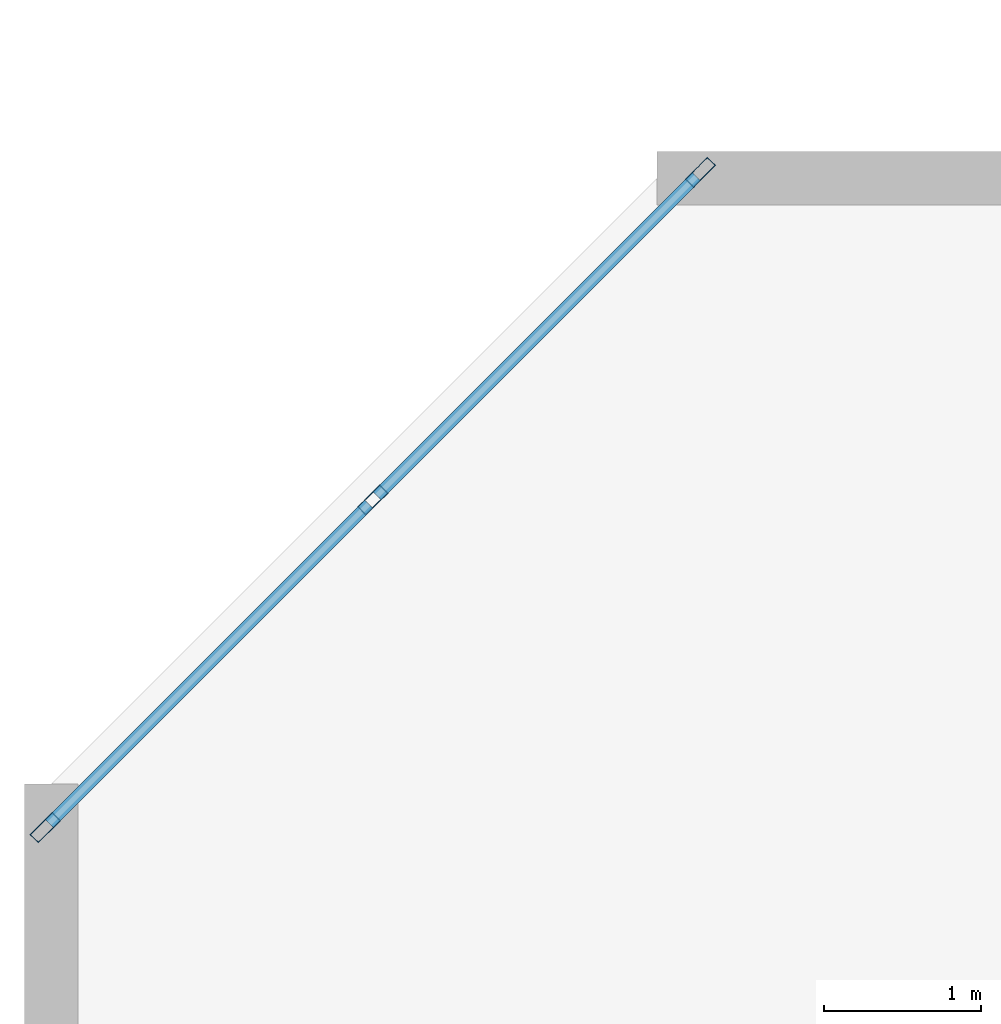
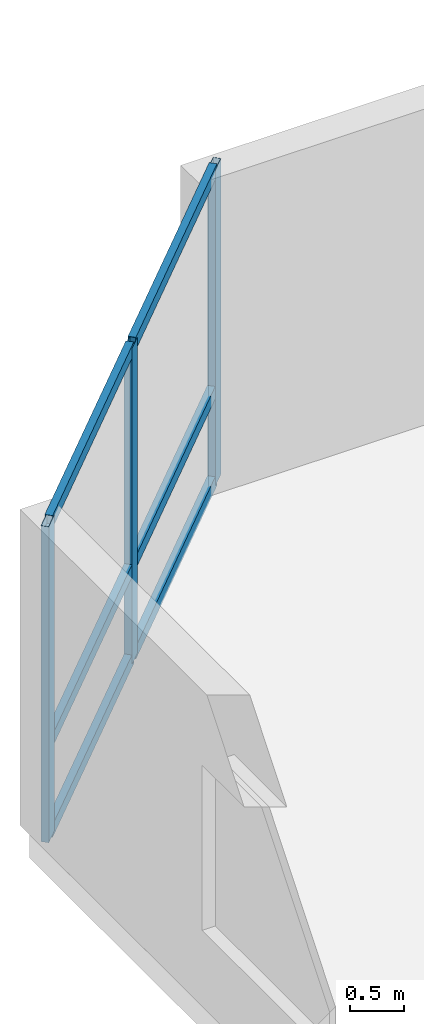
# One storey, part 3 of 11: 9 members, 1 element without a shape of its own.
"""IFC4 building model written with IfcOpenShell, lengths in metres."""

from ifc_helpers import new_model, si_unit, direction, frame, origin, origin_2d, place, context, subcontext, project, spatial, hollow_rectangle, extrude, material, layer, layer_set, material_profile, profile_set, type_object, element, aggregate, save


model = new_model("IFC4")

# Units and contexts
model_context = context("Model", 3, precision=1e-05, world=origin(), true_north=direction((0.0, 1.0)))
body_context = subcontext(model_context, "Body", "Model", "MODEL_VIEW")
ifc_project = project(units=[si_unit("LENGTHUNIT", "METRE"), si_unit("AREAUNIT", "SQUARE_METRE"), si_unit("VOLUMEUNIT", "CUBIC_METRE"), si_unit("PLANEANGLEUNIT", "RADIAN"), si_unit("MASSUNIT", "GRAM", prefix="KILO")], contexts=[model_context])

# Site, building, storey
site_placement = place(None, origin())
site = spatial("IfcSite", under=ifc_project, at=site_placement, CompositionType="ELEMENT")
building_placement = place(site_placement, origin())
building = spatial("IfcBuilding", under=site, at=building_placement, Name="Kestravale Grand Hotel", CompositionType="ELEMENT")
storey_placement = place(building_placement, frame((0.0, 0.0, 37.39990234375)))
storey = spatial("IfcBuildingStorey", under=building, at=storey_placement, Name="L08", CompositionType="ELEMENT", Elevation=37.39990234375)

# Curtain wall, members
ifc_material_1 = material(Name="Thermally broken champagne-bronze aluminium and low-E glazing", Category="aluminium")
ifc_layer = layer(ifc_material_1, 0.199951171875)
ifc_layer_set = layer_set([ifc_layer], Name="CW-Z1")
curtain_wall_type = type_object("IfcCurtainWallType", Name="CW-Z1", PredefinedType="NOTDEFINED", material=ifc_layer_set)
curtain_wall_placement = place(storey_placement, origin())
curtain_wall = element("IfcCurtainWall", 1, at=curtain_wall_placement, inside=storey, type_object=curtain_wall_type, Name="L08 unitised curtain wall 18", PredefinedType="NOTDEFINED")
ifc_material_2 = material(Name="Aluminium 6063-T6 anodised", Category="aluminium")
ifc_material_profile_1 = material_profile(ifc_material_2, hollow_rectangle(XDim=0.074951171875, YDim=0.199951171875, WallThickness=0.00390625, at=origin_2d()))
ifc_profile_set_1 = profile_set([ifc_material_profile_1], Name="Aluminium 6063-T6 anodised")
member_type_1 = type_object("IfcMemberType", Name="CW-MUL-200", PredefinedType="MULLION", material=ifc_profile_set_1)
member_1_placement = place(storey_placement, frame((6.707763671875, 46.0673828125, 0.0), z_axis=(0.0, 0.0, 1.0), x_axis=(0.707106781187, -0.707106781187, 0.0)))
member_1 = element("IfcMember", 2, at=member_1_placement, type_object=member_type_1, Name="CW-Z1 mullion 1", PredefinedType="MULLION", context=body_context, shape_type="SweptSolid", body=[
    extrude(hollow_rectangle(XDim=0.074951171875, YDim=0.199951171875, WallThickness=0.00390625, at=origin_2d()), origin(), (0.0, 0.0, 1.0), 3.5400390625),
])
member_2_placement = place(storey_placement, frame((4.6201171875, 43.979736328125, 0.0), z_axis=(0.0, 0.0, 1.0), x_axis=(0.707106781187, -0.707106781187, 0.0)))
member_2 = element("IfcMember", 3, at=member_2_placement, type_object=member_type_1, Name="CW-Z1 mullion 2", PredefinedType="MULLION", context=body_context, shape_type="SweptSolid", body=[
    extrude(hollow_rectangle(XDim=0.074951171875, YDim=0.199951171875, WallThickness=0.00390625, at=origin_2d()), origin(), (0.0, 0.0, 1.0), 3.5400390625),
])
member_3_placement = place(storey_placement, frame((2.532470703125, 41.89208984375, 0.0), z_axis=(0.0, 0.0, 1.0), x_axis=(0.707106781187, -0.707106781187, 0.0)))
member_3 = element("IfcMember", 4, at=member_3_placement, type_object=member_type_1, Name="CW-Z1 mullion 3", PredefinedType="MULLION", context=body_context, shape_type="SweptSolid", body=[
    extrude(hollow_rectangle(XDim=0.074951171875, YDim=0.199951171875, WallThickness=0.00390625, at=origin_2d()), origin(), (0.0, 0.0, 1.0), 3.5400390625),
])
ifc_material_3 = material(Name="Aluminium 6063-T6 anodised", Category="aluminium")
ifc_material_profile_2 = material_profile(ifc_material_3, hollow_rectangle(XDim=0.074951171875, YDim=0.139892578125, WallThickness=0.00341796875, at=origin_2d()))
ifc_profile_set_2 = profile_set([ifc_material_profile_2], Name="Aluminium 6063-T6 anodised")
member_type_2 = type_object("IfcMemberType", Name="CW-TRN-140", PredefinedType="USERDEFINED", material=ifc_profile_set_2)
member_4_placement = place(storey_placement, frame((6.681396484375, 46.041015625, 0.03759765625), z_axis=(-0.707106781187, -0.707106781187, 0.0), x_axis=(0.707106781187, -0.707106781187, 0.0)))
member_4 = element("IfcMember", 5, at=member_4_placement, type_object=member_type_2, Name="CW-Z1 transom 1.1", ObjectType="TRANSOM", PredefinedType="USERDEFINED", context=body_context, shape_type="SweptSolid", body=[
    extrude(hollow_rectangle(XDim=0.074951171875, YDim=0.139892578125, WallThickness=0.00341796875, at=origin_2d()), origin(), (0.0, 0.0, 1.0), 2.87744140625),
])
member_5_placement = place(storey_placement, frame((6.681396484375, 46.041015625, 1.050048828125), z_axis=(-0.707106781187, -0.707106781187, 0.0), x_axis=(0.707106781187, -0.707106781187, 0.0)))
member_5 = element("IfcMember", 6, at=member_5_placement, type_object=member_type_2, Name="CW-Z1 transom 1.2", ObjectType="TRANSOM", PredefinedType="USERDEFINED", context=body_context, shape_type="SweptSolid", body=[
    extrude(hollow_rectangle(XDim=0.074951171875, YDim=0.139892578125, WallThickness=0.00341796875, at=origin_2d()), origin(), (0.0, 0.0, 1.0), 2.87744140625),
])
member_6_placement = place(storey_placement, frame((6.681396484375, 46.041015625, 3.502685546875), z_axis=(-0.707106781187, -0.707106781187, 0.0), x_axis=(0.707106781187, -0.707106781187, 0.0)))
member_6 = element("IfcMember", 7, at=member_6_placement, type_object=member_type_2, Name="CW-Z1 transom 1.3", ObjectType="TRANSOM", PredefinedType="USERDEFINED", context=body_context, shape_type="SweptSolid", body=[
    extrude(hollow_rectangle(XDim=0.074951171875, YDim=0.139892578125, WallThickness=0.00341796875, at=origin_2d()), origin(), (0.0, 0.0, 1.0), 2.87744140625),
])
member_7_placement = place(storey_placement, frame((4.59375, 43.953369140625, 0.03759765625), z_axis=(-0.707106781187, -0.707106781187, 0.0), x_axis=(0.707106781187, -0.707106781187, 0.0)))
member_7 = element("IfcMember", 8, at=member_7_placement, type_object=member_type_2, Name="CW-Z1 transom 2.1", ObjectType="TRANSOM", PredefinedType="USERDEFINED", context=body_context, shape_type="SweptSolid", body=[
    extrude(hollow_rectangle(XDim=0.074951171875, YDim=0.139892578125, WallThickness=0.00341796875, at=origin_2d()), origin(), (0.0, 0.0, 1.0), 2.87744140625),
])
member_8_placement = place(storey_placement, frame((4.59375, 43.953369140625, 1.050048828125), z_axis=(-0.707106781187, -0.707106781187, 0.0), x_axis=(0.707106781187, -0.707106781187, 0.0)))
member_8 = element("IfcMember", 9, at=member_8_placement, type_object=member_type_2, Name="CW-Z1 transom 2.2", ObjectType="TRANSOM", PredefinedType="USERDEFINED", context=body_context, shape_type="SweptSolid", body=[
    extrude(hollow_rectangle(XDim=0.074951171875, YDim=0.139892578125, WallThickness=0.00341796875, at=origin_2d()), origin(), (0.0, 0.0, 1.0), 2.87744140625),
])
member_9_placement = place(storey_placement, frame((4.59375, 43.953369140625, 3.502685546875), z_axis=(-0.707106781187, -0.707106781187, 0.0), x_axis=(0.707106781187, -0.707106781187, 0.0)))
member_9 = element("IfcMember", 10, at=member_9_placement, type_object=member_type_2, Name="CW-Z1 transom 2.3", ObjectType="TRANSOM", PredefinedType="USERDEFINED", context=body_context, shape_type="SweptSolid", body=[
    extrude(hollow_rectangle(XDim=0.074951171875, YDim=0.139892578125, WallThickness=0.00341796875, at=origin_2d()), origin(), (0.0, 0.0, 1.0), 2.87744140625),
])
aggregate(curtain_wall, [member_1, member_2, member_3, member_4, member_5, member_6, member_7, member_8, member_9])

save(model, "model.ifc")
